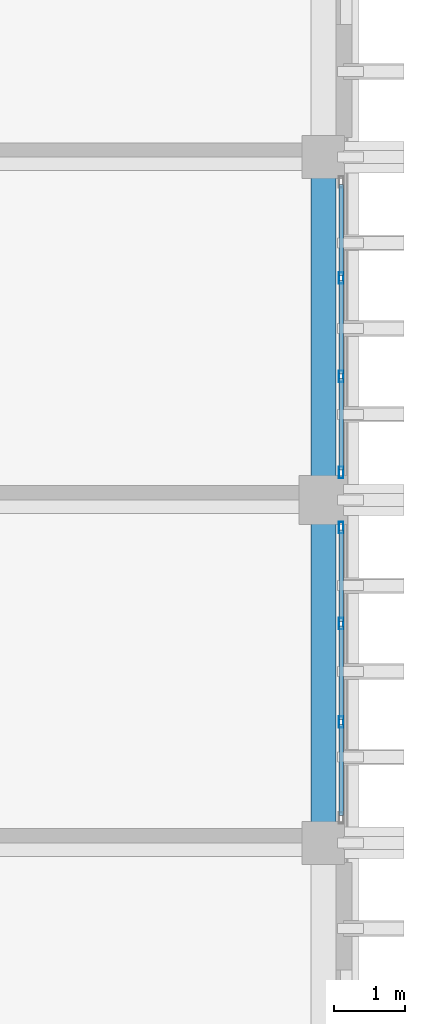
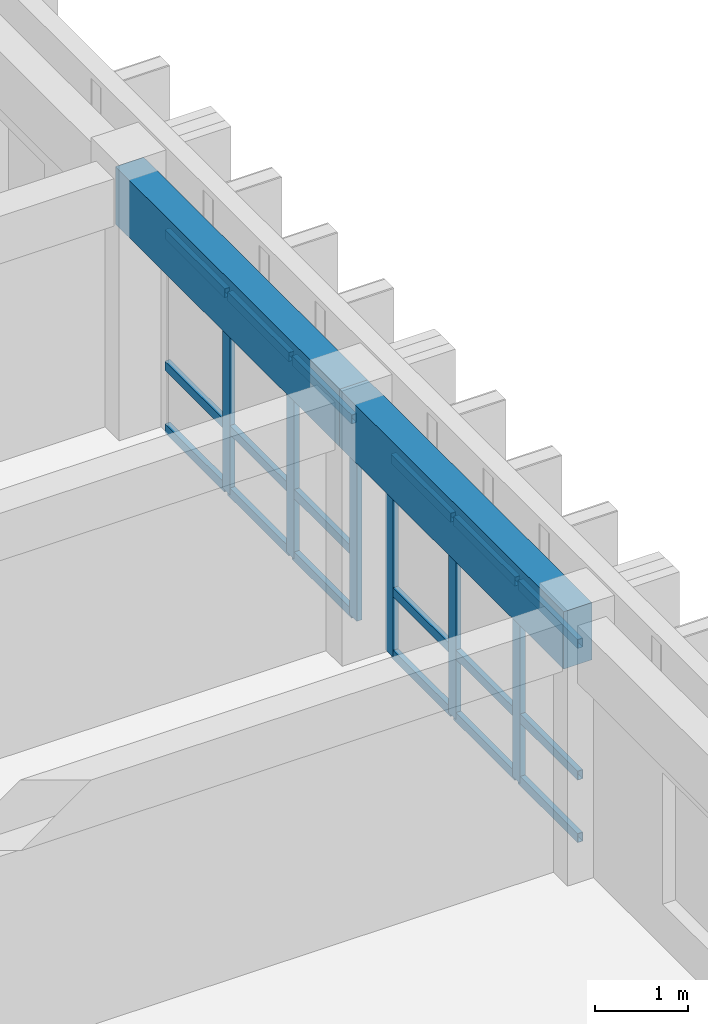
# One storey, part 23 of 53: 24 members, 2 beams, 2 elements without a shape of their own.
"""IFC4 building model written with IfcOpenShell, lengths in metres."""

from ifc_helpers import new_model, si_unit, direction, frame, origin, origin_2d, place, context, subcontext, project, spatial, rectangle, hollow_rectangle, extrude, material, layer, layer_set, material_profile, profile_set, type_object, element, aggregate, save


model = new_model("IFC4")

# Units and contexts
model_context = context("Model", 3, precision=1e-05, world=origin(), true_north=direction((0.0, 1.0)))
body_context = subcontext(model_context, "Body", "Model", "MODEL_VIEW")
ifc_project = project(units=[si_unit("LENGTHUNIT", "METRE"), si_unit("AREAUNIT", "SQUARE_METRE"), si_unit("VOLUMEUNIT", "CUBIC_METRE"), si_unit("PLANEANGLEUNIT", "RADIAN"), si_unit("MASSUNIT", "GRAM", prefix="KILO")], contexts=[model_context])

# Site, building, storey
site_placement = place(None, origin())
site = spatial("IfcSite", under=ifc_project, at=site_placement, CompositionType="ELEMENT")
building_placement = place(site_placement, origin())
building = spatial("IfcBuilding", under=site, at=building_placement, Name="Nakhvara Creek Congress Hotel", CompositionType="ELEMENT")
storey_placement = place(building_placement, frame((0.0, 0.0, 35.39990234375)))
storey = spatial("IfcBuildingStorey", under=building, at=storey_placement, Name="L08", CompositionType="ELEMENT", Elevation=35.39990234375)

# Beams
ifc_material_1 = material(Name="Concrete C40/50", Category="concrete")
ifc_material_profile_1 = material_profile(ifc_material_1, rectangle(XDim=0.35009765625, YDim=0.75, at=origin_2d()), Name="RC-SPANDREL 350x750", Category="LoadBearing")
ifc_profile_set_1 = profile_set([ifc_material_profile_1], Name="Concrete C40/50")
beam_type = type_object("IfcBeamType", Name="BM-SPN-350X750", PredefinedType="SPANDREL", material=ifc_profile_set_1)
beam_1_placement = place(storey_placement, frame((179.35009765625, 81.60009765625, 2.985107421875), z_axis=(0.0, 1.0, 0.0), x_axis=(-1.0, 0.0, 0.0)))
element("IfcBeam", 1, at=beam_1_placement, inside=storey, type_object=beam_type, Name="Beam SP1-L08-2502", PredefinedType="SPANDREL", context=body_context, shape_type="SweptSolid", body=[
    extrude(rectangle(XDim=0.35009765625, YDim=0.75, at=origin_2d()), origin(), (0.0, 0.0, 1.0), 4.7998046875),
])
beam_2_placement = place(storey_placement, frame((179.35009765625, 86.39990234375, 2.985107421875), z_axis=(0.0, 1.0, 0.0), x_axis=(-1.0, 0.0, 0.0)))
element("IfcBeam", 2, at=beam_2_placement, inside=storey, type_object=beam_type, Name="Beam SP1-L08-2503", PredefinedType="SPANDREL", context=body_context, shape_type="SweptSolid", body=[
    extrude(rectangle(XDim=0.35009765625, YDim=0.75, at=origin_2d()), origin(), (0.0, 0.0, 1.0), 4.800048828125),
])

# Curtain wall, members
ifc_material_2 = material(Name="Bronze-anodised aluminium AW-6063-T6 and double-silver low-E glass", Category="aluminium")
ifc_layer = layer(ifc_material_2, 0.199951171875)
ifc_layer_set = layer_set([ifc_layer], Name="Bronze-anodised aluminium AW-6063-T6 and double-silver low-E glass")
curtain_wall_type = type_object("IfcCurtainWallType", Name="CW-HTL-UNIT", PredefinedType="USERDEFINED", material=ifc_layer_set)
curtain_wall_1_placement = place(storey_placement, origin())
curtain_wall_1 = element("IfcCurtainWall", 3, at=curtain_wall_1_placement, inside=storey, type_object=curtain_wall_type, Name="Curtain Wall CW283", ObjectType="UNITISED", PredefinedType="USERDEFINED")
ifc_material_3 = material(Name="Bronze-anodised aluminium AW-6063-T6", Category="aluminium")
ifc_material_profile_2 = material_profile(ifc_material_3, hollow_rectangle(XDim=0.06494140625, YDim=0.159912109375, WallThickness=0.00390625, at=origin_2d()), Name="ALU-MULL 65x160x4", Category="LoadBearing")
ifc_profile_set_2 = profile_set([ifc_material_profile_2], Name="Bronze-anodised aluminium AW-6063-T6")
member_type_1 = type_object("IfcMemberType", Name="CW-MULL-160", PredefinedType="MULLION", material=ifc_profile_set_2)
member_1_placement = place(storey_placement, frame((179.60009765625, 86.012451171875, 0.0), z_axis=(0.0, 0.0, 1.0), x_axis=(1.0, 0.0, 0.0)))
member_1 = element("IfcMember", 4, at=member_1_placement, type_object=member_type_1, Name="CW283 mullion 1", PredefinedType="MULLION", context=body_context, shape_type="SweptSolid", body=[
    extrude(hollow_rectangle(XDim=0.06494140625, YDim=0.159912109375, WallThickness=0.00390625, at=origin_2d()), origin(), (0.0, 0.0, 1.0), 2.60205078125),
])
member_2_placement = place(storey_placement, frame((179.60009765625, 84.668212890625, 0.0), z_axis=(0.0, 0.0, 1.0), x_axis=(1.0, 0.0, 0.0)))
member_2 = element("IfcMember", 5, at=member_2_placement, type_object=member_type_1, Name="CW283 mullion 2", PredefinedType="MULLION", context=body_context, shape_type="SweptSolid", body=[
    extrude(hollow_rectangle(XDim=0.06494140625, YDim=0.159912109375, WallThickness=0.00390625, at=origin_2d()), origin(), (0.0, 0.0, 1.0), 2.60205078125),
])
member_3_placement = place(storey_placement, frame((179.60009765625, 83.291748046875, 0.0), z_axis=(0.0, 0.0, 1.0), x_axis=(1.0, 0.0, 0.0)))
member_3 = element("IfcMember", 6, at=member_3_placement, type_object=member_type_1, Name="CW283 mullion 3", PredefinedType="MULLION", context=body_context, shape_type="SweptSolid", body=[
    extrude(hollow_rectangle(XDim=0.06494140625, YDim=0.159912109375, WallThickness=0.00390625, at=origin_2d()), origin(), (0.0, 0.0, 1.0), 2.60205078125),
])

curtain_wall_2_placement = place(storey_placement, origin())
curtain_wall_2 = element("IfcCurtainWall", 7, at=curtain_wall_2_placement, inside=storey, type_object=curtain_wall_type, Name="Curtain Wall CW285", ObjectType="UNITISED", PredefinedType="USERDEFINED")
member_4_placement = place(storey_placement, frame((179.60009765625, 89.50830078125, 0.0), z_axis=(0.0, 0.0, 1.0), x_axis=(1.0, 0.0, 0.0)))
member_4 = element("IfcMember", 8, at=member_4_placement, type_object=member_type_1, Name="CW285 mullion 2", PredefinedType="MULLION", context=body_context, shape_type="SweptSolid", body=[
    extrude(hollow_rectangle(XDim=0.06494140625, YDim=0.159912109375, WallThickness=0.00390625, at=origin_2d()), origin(), (0.0, 0.0, 1.0), 2.60205078125),
])
member_5_placement = place(storey_placement, frame((179.60009765625, 88.131591796875, 0.0), z_axis=(0.0, 0.0, 1.0), x_axis=(1.0, 0.0, 0.0)))
member_5 = element("IfcMember", 9, at=member_5_placement, type_object=member_type_1, Name="CW285 mullion 3", PredefinedType="MULLION", context=body_context, shape_type="SweptSolid", body=[
    extrude(hollow_rectangle(XDim=0.06494140625, YDim=0.159912109375, WallThickness=0.00390625, at=origin_2d()), origin(), (0.0, 0.0, 1.0), 2.60205078125),
])
member_6_placement = place(storey_placement, frame((179.60009765625, 86.78759765625, 0.0), z_axis=(0.0, 0.0, 1.0), x_axis=(1.0, 0.0, 0.0)))
member_6 = element("IfcMember", 10, at=member_6_placement, type_object=member_type_1, Name="CW285 mullion 4", PredefinedType="MULLION", context=body_context, shape_type="SweptSolid", body=[
    extrude(hollow_rectangle(XDim=0.06494140625, YDim=0.159912109375, WallThickness=0.00390625, at=origin_2d()), origin(), (0.0, 0.0, 1.0), 2.60205078125),
])

# Member
ifc_material_profile_3 = material_profile(ifc_material_3, hollow_rectangle(XDim=0.06494140625, YDim=0.1201171875, WallThickness=0.00390625, at=origin_2d()), Name="ALU-TRAN 65x120x4", Category="LoadBearing")
ifc_profile_set_3 = profile_set([ifc_material_profile_3], Name="Bronze-anodised aluminium AW-6063-T6")
member_type_2 = type_object("IfcMemberType", Name="CW-TRAN-120", PredefinedType="USERDEFINED", material=ifc_profile_set_3)
member_7_placement = place(storey_placement, frame((179.60009765625, 85.97998046875, 0.03271484375), z_axis=(0.0, -1.0, 0.0), x_axis=(1.0, 0.0, 0.0)))
member_7 = element("IfcMember", 11, at=member_7_placement, type_object=member_type_2, Name="CW283 transom 1.1", ObjectType="TRANSOM", PredefinedType="USERDEFINED", context=body_context, shape_type="SweptSolid", body=[
    extrude(hollow_rectangle(XDim=0.06494140625, YDim=0.1201171875, WallThickness=0.00390625, at=origin_2d()), origin(), (0.0, 0.0, 1.0), 1.279052734375),
])

member_8_placement = place(storey_placement, frame((179.60009765625, 85.97998046875, 0.85009765625), z_axis=(0.0, -1.0, 0.0), x_axis=(1.0, 0.0, 0.0)))
member_8 = element("IfcMember", 12, at=member_8_placement, type_object=member_type_2, Name="CW283 transom 1.2", ObjectType="TRANSOM", PredefinedType="USERDEFINED", context=body_context, shape_type="SweptSolid", body=[
    extrude(hollow_rectangle(XDim=0.06494140625, YDim=0.1201171875, WallThickness=0.00390625, at=origin_2d()), origin(), (0.0, 0.0, 1.0), 1.279052734375),
])

member_9_placement = place(storey_placement, frame((179.60009765625, 85.97998046875, 2.569580078125), z_axis=(0.0, -1.0, 0.0), x_axis=(1.0, 0.0, 0.0)))
member_9 = element("IfcMember", 13, at=member_9_placement, type_object=member_type_2, Name="CW283 transom 1.3", ObjectType="TRANSOM", PredefinedType="USERDEFINED", context=body_context, shape_type="SweptSolid", body=[
    extrude(hollow_rectangle(XDim=0.06494140625, YDim=0.1201171875, WallThickness=0.00390625, at=origin_2d()), origin(), (0.0, 0.0, 1.0), 1.279052734375),
])

member_10_placement = place(storey_placement, frame((179.60009765625, 84.6357421875, 0.03271484375), z_axis=(0.0, -1.0, 0.0), x_axis=(1.0, 0.0, 0.0)))
member_10 = element("IfcMember", 14, at=member_10_placement, type_object=member_type_2, Name="CW283 transom 2.1", ObjectType="TRANSOM", PredefinedType="USERDEFINED", context=body_context, shape_type="SweptSolid", body=[
    extrude(hollow_rectangle(XDim=0.06494140625, YDim=0.1201171875, WallThickness=0.00390625, at=origin_2d()), origin(), (0.0, 0.0, 1.0), 1.3115234375),
])

member_11_placement = place(storey_placement, frame((179.60009765625, 84.6357421875, 0.85009765625), z_axis=(0.0, -1.0, 0.0), x_axis=(1.0, 0.0, 0.0)))
member_11 = element("IfcMember", 15, at=member_11_placement, type_object=member_type_2, Name="CW283 transom 2.2", ObjectType="TRANSOM", PredefinedType="USERDEFINED", context=body_context, shape_type="SweptSolid", body=[
    extrude(hollow_rectangle(XDim=0.06494140625, YDim=0.1201171875, WallThickness=0.00390625, at=origin_2d()), origin(), (0.0, 0.0, 1.0), 1.3115234375),
])

member_12_placement = place(storey_placement, frame((179.60009765625, 84.6357421875, 2.569580078125), z_axis=(0.0, -1.0, 0.0), x_axis=(1.0, 0.0, 0.0)))
member_12 = element("IfcMember", 16, at=member_12_placement, type_object=member_type_2, Name="CW283 transom 2.3", ObjectType="TRANSOM", PredefinedType="USERDEFINED", context=body_context, shape_type="SweptSolid", body=[
    extrude(hollow_rectangle(XDim=0.06494140625, YDim=0.1201171875, WallThickness=0.00390625, at=origin_2d()), origin(), (0.0, 0.0, 1.0), 1.3115234375),
])

member_13_placement = place(storey_placement, frame((179.60009765625, 83.25927734375, 0.03271484375), z_axis=(0.0, -1.0, 0.0), x_axis=(1.0, 0.0, 0.0)))
member_13 = element("IfcMember", 17, at=member_13_placement, type_object=member_type_2, Name="CW283 transom 3.1", ObjectType="TRANSOM", PredefinedType="USERDEFINED", context=body_context, shape_type="SweptSolid", body=[
    extrude(hollow_rectangle(XDim=0.06494140625, YDim=0.1201171875, WallThickness=0.00390625, at=origin_2d()), origin(), (0.0, 0.0, 1.0), 1.279296875),
])

member_14_placement = place(storey_placement, frame((179.60009765625, 83.25927734375, 0.85009765625), z_axis=(0.0, -1.0, 0.0), x_axis=(1.0, 0.0, 0.0)))
member_14 = element("IfcMember", 18, at=member_14_placement, type_object=member_type_2, Name="CW283 transom 3.2", ObjectType="TRANSOM", PredefinedType="USERDEFINED", context=body_context, shape_type="SweptSolid", body=[
    extrude(hollow_rectangle(XDim=0.06494140625, YDim=0.1201171875, WallThickness=0.00390625, at=origin_2d()), origin(), (0.0, 0.0, 1.0), 1.279296875),
])

member_15_placement = place(storey_placement, frame((179.60009765625, 83.25927734375, 2.569580078125), z_axis=(0.0, -1.0, 0.0), x_axis=(1.0, 0.0, 0.0)))
member_15 = element("IfcMember", 19, at=member_15_placement, type_object=member_type_2, Name="CW283 transom 3.3", ObjectType="TRANSOM", PredefinedType="USERDEFINED", context=body_context, shape_type="SweptSolid", body=[
    extrude(hollow_rectangle(XDim=0.06494140625, YDim=0.1201171875, WallThickness=0.00390625, at=origin_2d()), origin(), (0.0, 0.0, 1.0), 1.279296875),
])

aggregate(curtain_wall_1, [member_1, member_2, member_3, member_7, member_8, member_9, member_10, member_11, member_12, member_13, member_14, member_15])

member_16_placement = place(storey_placement, frame((179.60009765625, 90.820068359375, 0.03271484375), z_axis=(0.0, -1.0, 0.0), x_axis=(1.0, 0.0, 0.0)))
member_16 = element("IfcMember", 20, at=member_16_placement, type_object=member_type_2, Name="CW285 transom 1.1", ObjectType="TRANSOM", PredefinedType="USERDEFINED", context=body_context, shape_type="SweptSolid", body=[
    extrude(hollow_rectangle(XDim=0.06494140625, YDim=0.1201171875, WallThickness=0.00390625, at=origin_2d()), origin(), (0.0, 0.0, 1.0), 1.279296875),
])

member_17_placement = place(storey_placement, frame((179.60009765625, 90.820068359375, 0.85009765625), z_axis=(0.0, -1.0, 0.0), x_axis=(1.0, 0.0, 0.0)))
member_17 = element("IfcMember", 21, at=member_17_placement, type_object=member_type_2, Name="CW285 transom 1.2", ObjectType="TRANSOM", PredefinedType="USERDEFINED", context=body_context, shape_type="SweptSolid", body=[
    extrude(hollow_rectangle(XDim=0.06494140625, YDim=0.1201171875, WallThickness=0.00390625, at=origin_2d()), origin(), (0.0, 0.0, 1.0), 1.279296875),
])

member_18_placement = place(storey_placement, frame((179.60009765625, 90.820068359375, 2.569580078125), z_axis=(0.0, -1.0, 0.0), x_axis=(1.0, 0.0, 0.0)))
member_18 = element("IfcMember", 22, at=member_18_placement, type_object=member_type_2, Name="CW285 transom 1.3", ObjectType="TRANSOM", PredefinedType="USERDEFINED", context=body_context, shape_type="SweptSolid", body=[
    extrude(hollow_rectangle(XDim=0.06494140625, YDim=0.1201171875, WallThickness=0.00390625, at=origin_2d()), origin(), (0.0, 0.0, 1.0), 1.279296875),
])

member_19_placement = place(storey_placement, frame((179.60009765625, 89.475830078125, 0.03271484375), z_axis=(0.0, -1.0, 0.0), x_axis=(1.0, 0.0, 0.0)))
member_19 = element("IfcMember", 23, at=member_19_placement, type_object=member_type_2, Name="CW285 transom 2.1", ObjectType="TRANSOM", PredefinedType="USERDEFINED", context=body_context, shape_type="SweptSolid", body=[
    extrude(hollow_rectangle(XDim=0.06494140625, YDim=0.1201171875, WallThickness=0.00390625, at=origin_2d()), origin(), (0.0, 0.0, 1.0), 1.311767578125),
])

member_20_placement = place(storey_placement, frame((179.60009765625, 89.475830078125, 0.85009765625), z_axis=(0.0, -1.0, 0.0), x_axis=(1.0, 0.0, 0.0)))
member_20 = element("IfcMember", 24, at=member_20_placement, type_object=member_type_2, Name="CW285 transom 2.2", ObjectType="TRANSOM", PredefinedType="USERDEFINED", context=body_context, shape_type="SweptSolid", body=[
    extrude(hollow_rectangle(XDim=0.06494140625, YDim=0.1201171875, WallThickness=0.00390625, at=origin_2d()), origin(), (0.0, 0.0, 1.0), 1.311767578125),
])

member_21_placement = place(storey_placement, frame((179.60009765625, 89.475830078125, 2.569580078125), z_axis=(0.0, -1.0, 0.0), x_axis=(1.0, 0.0, 0.0)))
member_21 = element("IfcMember", 25, at=member_21_placement, type_object=member_type_2, Name="CW285 transom 2.3", ObjectType="TRANSOM", PredefinedType="USERDEFINED", context=body_context, shape_type="SweptSolid", body=[
    extrude(hollow_rectangle(XDim=0.06494140625, YDim=0.1201171875, WallThickness=0.00390625, at=origin_2d()), origin(), (0.0, 0.0, 1.0), 1.311767578125),
])

member_22_placement = place(storey_placement, frame((179.60009765625, 88.09912109375, 0.03271484375), z_axis=(0.0, -1.0, 0.0), x_axis=(1.0, 0.0, 0.0)))
member_22 = element("IfcMember", 26, at=member_22_placement, type_object=member_type_2, Name="CW285 transom 3.1", ObjectType="TRANSOM", PredefinedType="USERDEFINED", context=body_context, shape_type="SweptSolid", body=[
    extrude(hollow_rectangle(XDim=0.06494140625, YDim=0.1201171875, WallThickness=0.00390625, at=origin_2d()), origin(), (0.0, 0.0, 1.0), 1.279052734375),
])

member_23_placement = place(storey_placement, frame((179.60009765625, 88.09912109375, 0.85009765625), z_axis=(0.0, -1.0, 0.0), x_axis=(1.0, 0.0, 0.0)))
member_23 = element("IfcMember", 27, at=member_23_placement, type_object=member_type_2, Name="CW285 transom 3.2", ObjectType="TRANSOM", PredefinedType="USERDEFINED", context=body_context, shape_type="SweptSolid", body=[
    extrude(hollow_rectangle(XDim=0.06494140625, YDim=0.1201171875, WallThickness=0.00390625, at=origin_2d()), origin(), (0.0, 0.0, 1.0), 1.279052734375),
])

member_24_placement = place(storey_placement, frame((179.60009765625, 88.09912109375, 2.569580078125), z_axis=(0.0, -1.0, 0.0), x_axis=(1.0, 0.0, 0.0)))
member_24 = element("IfcMember", 28, at=member_24_placement, type_object=member_type_2, Name="CW285 transom 3.3", ObjectType="TRANSOM", PredefinedType="USERDEFINED", context=body_context, shape_type="SweptSolid", body=[
    extrude(hollow_rectangle(XDim=0.06494140625, YDim=0.1201171875, WallThickness=0.00390625, at=origin_2d()), origin(), (0.0, 0.0, 1.0), 1.279052734375),
])

aggregate(curtain_wall_2, [member_4, member_5, member_6, member_16, member_17, member_18, member_19, member_20, member_21, member_22, member_23, member_24])

save(model, "model.ifc")
